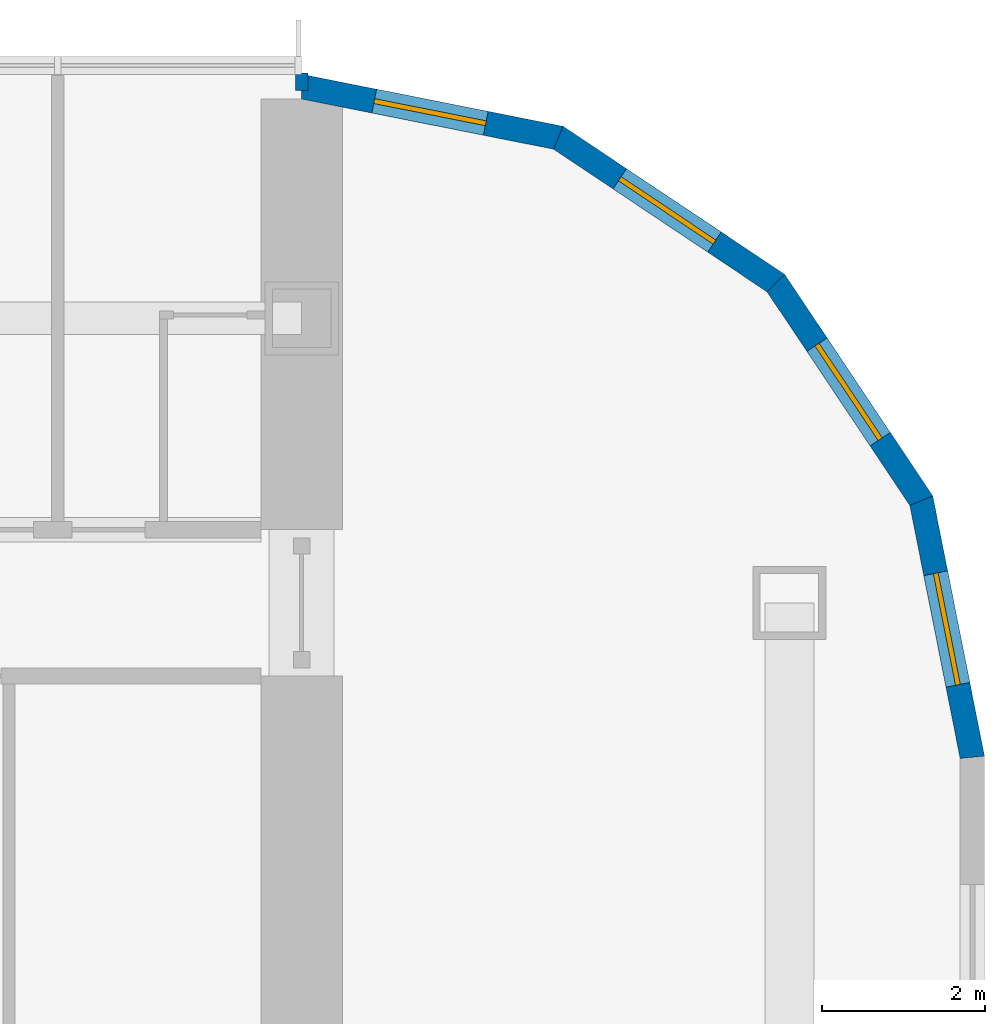
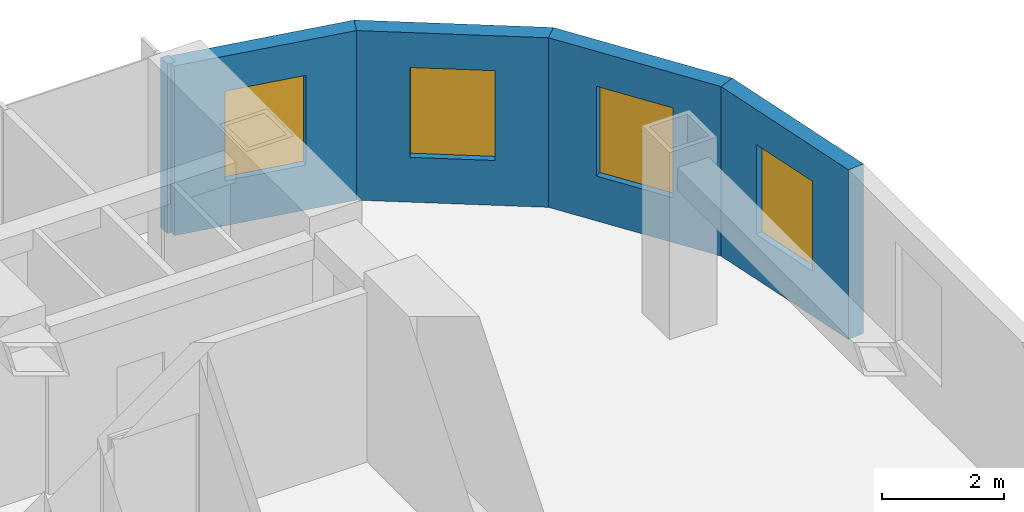
# One storey, part 18 of 23: 5 walls, 4 windows, 4 openings.
"""IFC4 building model written with IfcOpenShell, lengths in metres."""

import ifcopenshell
import ifcopenshell.guid

model = None  # the IFC model being written
_history = None  # IfcOwnerHistory: only IFC2X3 demands one
_inside = {}  # id of a spatial element -> (the spatial element, [elements in it])
_under = {}  # id of a project, library or spatial element -> (it, [spatial elements below it])
_declared = {}  # id of a project -> (the project, [libraries it declares])
_typed = {}  # id of a type object -> (the type object, [elements of that type])
_made_of = {}  # id of a material, layer set ... -> (it, [elements and type objects made of it])


def new_model(schema):
    """Start an empty IFC model of exactly this schema.

    Asked for "IFC4X3", IfcOpenShell would pick the latest addendum, in which some entities
    have other attributes; the version numbers below select the first issue.
    IFC2X3 requires an IfcOwnerHistory on every rooted entity: one is made here for all.
    """
    global model, _history
    if schema == "IFC4X3":
        model = ifcopenshell.file(schema_version=(4, 3, 0, 0))
    else:
        model = ifcopenshell.file(schema=schema)
    _inside.clear()
    _under.clear()
    _declared.clear()
    _typed.clear()
    _made_of.clear()
    _history = None
    if model.schema == "IFC2X3":
        org = make("IfcOrganization", Name="unknown")
        user = make(
            "IfcPersonAndOrganization",
            ThePerson=make("IfcPerson", FamilyName="unknown"),
            TheOrganization=org,
        )
        app = make(
            "IfcApplication",
            ApplicationDeveloper=org,
            Version="unknown",
            ApplicationFullName="unknown",
            ApplicationIdentifier="unknown",
        )
        _history = make(
            "IfcOwnerHistory",
            OwningUser=user,
            OwningApplication=app,
            ChangeAction="ADDED",
            CreationDate=0,
        )
    return model


def make(cls, **values):
    """One entity of the class cls with the attributes given. An attribute that is None is left unset."""
    return model.create_entity(
        cls, **{name: value for name, value in values.items() if value is not None}
    )


def rooted(cls, **values):
    """An entity with a GlobalId (a new one), such as an element, a storey or a relation."""
    return make(cls, GlobalId=ifcopenshell.guid.new(), OwnerHistory=_history, **values)


def si_unit(unit_type, name, prefix=None):
    """IfcSIUnit, for example si_unit("LENGTHUNIT", "METRE", prefix="MILLI")."""
    return make("IfcSIUnit", UnitType=unit_type, Prefix=prefix, Name=name)


def assignment(units):
    """IfcUnitAssignment: the units of a project."""
    return None if units is None else make("IfcUnitAssignment", Units=units)


def point(xyz):
    """IfcCartesianPoint."""
    return None if xyz is None else make("IfcCartesianPoint", Coordinates=xyz)


def direction(xyz):
    """IfcDirection."""
    return None if xyz is None else make("IfcDirection", DirectionRatios=xyz)


def frame(location, z_axis=None, x_axis=None):
    """IfcAxis2Placement3D, a coordinate frame: its origin and axes. An axis left out is left unset."""
    return make(
        "IfcAxis2Placement3D",
        Location=point(location),
        Axis=direction(z_axis),
        RefDirection=direction(x_axis),
    )


def frame_2d(location, x_axis=None):
    """IfcAxis2Placement2D, a coordinate frame in the plane: its origin and x axis."""
    return make(
        "IfcAxis2Placement2D", Location=point(location), RefDirection=direction(x_axis)
    )


def origin():
    """The frame at (0, 0, 0) with its axes left unset."""
    return frame((0.0, 0.0, 0.0))


def place(relative_to, where):
    """IfcLocalPlacement: puts the frame where relative to a parent placement (None: the world)."""
    return make(
        "IfcLocalPlacement", PlacementRelTo=relative_to, RelativePlacement=where
    )


def context(
    kind, dimensions, precision=None, world=None, true_north=None, identifier=None
):
    """IfcGeometricRepresentationContext, for example the 3D "Model" context."""
    return make(
        "IfcGeometricRepresentationContext",
        ContextIdentifier=identifier,
        ContextType=kind,
        CoordinateSpaceDimension=dimensions,
        Precision=precision,
        WorldCoordinateSystem=world,
        TrueNorth=true_north,
    )


def subcontext(parent, identifier, kind, view, scale=None):
    """IfcGeometricRepresentationSubContext, for example "Body" below "Model"."""
    return make(
        "IfcGeometricRepresentationSubContext",
        ContextIdentifier=identifier,
        ContextType=kind,
        ParentContext=parent,
        TargetScale=scale,
        TargetView=view,
    )


def project(units=None, contexts=None):
    """IfcProject with its units and contexts."""
    return rooted(
        "IfcProject",
        Name="project",
        RepresentationContexts=contexts,
        UnitsInContext=assignment(units),
    )


def spatial(cls, under=None, at=None, **own):
    """A site, building, storey or space (cls), placed at a placement, below another one or the project."""
    s = rooted(cls, ObjectPlacement=at, **own)
    if under is not None:
        _under.setdefault(under.id(), (under, []))[1].append(s)
    return s


def polyline(points):
    """IfcPolyline through the points."""
    return make("IfcPolyline", Points=[point(p) for p in points])


def profile(cls, at=None, kind="AREA", **sizes):
    """A parametric profile (cls). Its sizes go by their IFC names, for example OverallWidth=200.0."""
    return make(cls, ProfileType=kind, Position=at, **sizes)


def rectangle(**sizes):
    """IfcRectangleProfileDef."""
    return profile("IfcRectangleProfileDef", **sizes)


def outline(outer, holes=None, kind="AREA"):
    """IfcArbitraryClosedProfileDef: a profile drawn as a closed curve; with holes, ...WithVoids."""
    if holes is None:
        return make("IfcArbitraryClosedProfileDef", ProfileType=kind, OuterCurve=outer)
    return make(
        "IfcArbitraryProfileDefWithVoids",
        ProfileType=kind,
        OuterCurve=outer,
        InnerCurves=holes,
    )


def extrude(swept, where, along, depth):
    """IfcExtrudedAreaSolid: the profile swept, set in the frame where, extruded along a direction by depth."""
    return make(
        "IfcExtrudedAreaSolid",
        SweptArea=swept,
        Position=where,
        ExtrudedDirection=direction(along),
        Depth=depth,
    )


def shape(context_of_items, identifier, shape_type, items):
    """IfcShapeRepresentation: the items that make up one representation, for example the "Body"."""
    return make(
        "IfcShapeRepresentation",
        ContextOfItems=context_of_items,
        RepresentationIdentifier=identifier,
        RepresentationType=shape_type,
        Items=items,
    )


def material(Name=None, Category=None):
    """IfcMaterial."""
    return make("IfcMaterial", Name=Name, Category=Category)


def layer(
    of_material, thickness, ventilated=None, Name=None, Category=None, Priority=None
):
    """IfcMaterialLayer: one layer of a wall or slab, of a material (None: an air gap)."""
    return make(
        "IfcMaterialLayer",
        Material=of_material,
        LayerThickness=thickness,
        IsVentilated=ventilated,
        Name=Name,
        Category=Category,
        Priority=Priority,
    )


def layer_set(layers, Name=None):
    """IfcMaterialLayerSet."""
    return make("IfcMaterialLayerSet", MaterialLayers=layers, LayerSetName=Name)


def made_of(thing, what):
    """Note that an element or type object is made of a material, layer set ...; save() writes the relation."""
    if what is not None:
        _made_of.setdefault(what.id(), (what, []))[1].append(thing)
    return thing


def type_object(cls, material=None, **own):
    """A type object (cls), such as IfcWallType, which elements share."""
    return made_of(rooted(cls, **own), material)


def element(
    cls,
    number,
    at=None,
    inside=None,
    cuts=None,
    type_object=None,
    material=None,
    context=None,
    identifier="Body",
    shape_type=None,
    held_by="IfcProductDefinitionShape",
    body=None,
    shapes=None,
    **own,
):
    """One element of the class cls, such as IfcWall. Its Tag is "e" and its number.

    at: its placement. inside: the storey or other place that contains it. cuts: it is an
    opening in that element (IfcRelVoidsElement). A single representation is given by context,
    identifier, shape_type and body (its items); several are given by shapes. held_by: the class
    of the entity that holds the representations. save() writes the other relations.
    """
    e = rooted(cls, Tag="e%d" % number, ObjectPlacement=at, **own)
    if body is not None:
        shapes = [shape(context, identifier, shape_type, body)]
    if shapes is not None:
        e.Representation = make(held_by, Representations=shapes)
    if inside is not None:
        _inside.setdefault(inside.id(), (inside, []))[1].append(e)
    if cuts is not None:
        rooted(
            "IfcRelVoidsElement", RelatingBuildingElement=cuts, RelatedOpeningElement=e
        )
    if type_object is not None:
        _typed.setdefault(type_object.id(), (type_object, []))[1].append(e)
    return made_of(e, material)


def fill(opening, filler):
    """IfcRelFillsElement: the door or window that sits in an opening."""
    return rooted(
        "IfcRelFillsElement",
        RelatingOpeningElement=opening,
        RelatedBuildingElement=filler,
    )


def aggregate(whole, parts):
    """IfcRelAggregates: a whole, such as a stair, and the parts it consists of."""
    return rooted("IfcRelAggregates", RelatingObject=whole, RelatedObjects=parts)


def save(model, path):
    """Write the relations noted so far, then the file.

    IfcRelAggregates (storeys below a building ...), IfcRelContainedInSpatialStructure (elements
    in a storey), IfcRelDefinesByType, IfcRelAssociatesMaterial and IfcRelDeclares: one each for
    every whole, place, type object, material and project.
    """
    for whole, parts in _under.values():
        aggregate(whole, parts)
    for where, things in _inside.values():
        rooted(
            "IfcRelContainedInSpatialStructure",
            RelatedElements=things,
            RelatingStructure=where,
        )
    for kind, things in _typed.values():
        rooted("IfcRelDefinesByType", RelatedObjects=things, RelatingType=kind)
    for what, things in _made_of.values():
        rooted("IfcRelAssociatesMaterial", RelatedObjects=things, RelatingMaterial=what)
    for by, libraries in _declared.values():
        rooted("IfcRelDeclares", RelatingContext=by, RelatedDefinitions=libraries)
    model.write(path)


model = new_model("IFC4")

# Units and contexts
model_context = context("Model", 3, precision=1e-05, world=origin(), true_north=direction((0.0, 1.0)))
body_context = subcontext(model_context, "Body", "Model", "MODEL_VIEW")
ifc_project = project(units=[si_unit("LENGTHUNIT", "METRE"), si_unit("AREAUNIT", "SQUARE_METRE"), si_unit("VOLUMEUNIT", "CUBIC_METRE"), si_unit("PLANEANGLEUNIT", "RADIAN"), si_unit("MASSUNIT", "GRAM", prefix="KILO")], contexts=[model_context])

# Site, building, storey
site_placement = place(None, origin())
site = spatial("IfcSite", under=ifc_project, at=site_placement, CompositionType="ELEMENT")
building_placement = place(site_placement, origin())
building = spatial("IfcBuilding", under=site, at=building_placement, Name="Orbita Commons", CompositionType="ELEMENT")
storey_placement = place(building_placement, frame((0.0, 0.0, 65.199951171875)))
storey = spatial("IfcBuildingStorey", under=building, at=storey_placement, Name="L16", CompositionType="ELEMENT", Elevation=65.199951171875)

# Wall
ifc_material_1 = material(Name="Gypsum plasterboard on steel studs", Category="steel")
ifc_layer_1 = layer(ifc_material_1, 0.14990234375)
ifc_layer_set_1 = layer_set([ifc_layer_1], Name="Gypsum plasterboard on steel studs")
wall_type_1 = type_object("IfcWallType", Name="Partition 150 plasterboard", PredefinedType="PARTITIONING", material=ifc_layer_set_1)
wall_1_placement = place(storey_placement, frame((72.0, 56.39990234375, 0.0), z_axis=(0.0, 0.0, 1.0), x_axis=(0.0, 1.0, 0.0)))
element("IfcWall", 1, at=wall_1_placement, inside=storey, type_object=wall_type_1, Name="Partition 150 plasterboard L16", PredefinedType="PARTITIONING", context=body_context, shape_type="SweptSolid", body=[
    extrude(rectangle(XDim=0.22021484375, YDim=0.14990234375, at=frame_2d((0.110107421875, 0.0))), origin(), (0.0, 0.0, 1.0), 3.400146484375),
])

# Wall, opening, window
ifc_material_2 = material(Name="Precast concrete C40/50, white board-marked finish", Category="concrete")
ifc_layer_2 = layer(ifc_material_2, 0.300048828125)
ifc_layer_set_2 = layer_set([ifc_layer_2], Name="Precast concrete C40/50, white board-marked finish")
wall_type_2 = type_object("IfcWallType", Name="Precast concrete end shield 300", PredefinedType="SOLIDWALL", material=ifc_layer_set_2)
wall_2_placement = place(storey_placement, frame((80.25, 48.199951171875, 0.0), z_axis=(0.0, 0.0, 1.0), x_axis=(-0.195065901187, 0.980790137692, 0.0)))
wall_2 = element("IfcWall", 2, at=wall_2_placement, inside=storey, type_object=wall_type_2, Name="End shield NE chord 1 L16", PredefinedType="SOLIDWALL", context=body_context, shape_type="SweptSolid", body=[
    extrude(outline(polyline([(-0.014892578125, -0.14990234375), (3.248779296875, -0.14990234375), (3.189208984375, 0.14990234375), (0.014892578125, 0.14990234375), (-0.014892578125, -0.14990234375)])), origin(), (0.0, 0.0, 1.0), 3.400146484375),
])
opening_1_placement = place(wall_2_placement, frame((0.909423828125, 0.0, 0.89990234375)))
opening_1 = element("IfcOpeningElement", 3, at=opening_1_placement, cuts=wall_2, Name="Opening W02", PredefinedType="OPENING", context=body_context, shape_type="SweptSolid", body=[
    extrude(rectangle(XDim=1.39990234375, YDim=1.800048828125, at=frame_2d((0.699951171875, 0.89990234375))), frame((0.0, 0.159912109375, 0.0), z_axis=(0.0, -1.0, 0.0), x_axis=(1.0, 0.0, 0.0)), (0.0, 0.0, 1.0), 0.320068359375),
])
ifc_material_3 = material(Name="Aluminium frame, clear double glazing", Category="aluminium")
window_type = type_object("IfcWindowType", Name="Deep-set window 1400x1800", PartitioningType="SINGLE_PANEL", PredefinedType="WINDOW", material=ifc_material_3)
window_1_placement = place(opening_1_placement, origin())
window_1 = element("IfcWindow", 4, at=window_1_placement, inside=storey, type_object=window_type, Name="Window L16-NE0", OverallHeight=1.800048828125, OverallWidth=1.39990234375, PartitioningType="SINGLE_PANEL", PredefinedType="WINDOW", context=body_context, shape_type="SweptSolid", body=[
    extrude(rectangle(XDim=1.39990234375, YDim=1.800048828125, at=frame_2d((0.699951171875, 0.89990234375))), frame((0.0, 0.030029296875, 0.0), z_axis=(0.0, -1.0, 0.0), x_axis=(1.0, 0.0, 0.0)), (0.0, 0.0, 1.0), 0.06005859375),
])
fill(opening_1, window_1)

wall_3_placement = place(storey_placement, frame((79.6220703125, 51.357177734375, 0.0), z_axis=(0.0, 0.0, 1.0), x_axis=(-0.555609954424, 0.831443069936, 0.0)))
wall_3 = element("IfcWall", 5, at=wall_3_placement, inside=storey, type_object=wall_type_2, Name="End shield NE chord 2 L16", PredefinedType="SOLIDWALL", context=body_context, shape_type="SweptSolid", body=[
    extrude(outline(polyline([(-0.02978515625, -0.14990234375), (3.2490234375, -0.14990234375), (3.189453125, 0.14990234375), (0.02978515625, 0.14990234375), (-0.02978515625, -0.14990234375)])), origin(), (0.0, 0.0, 1.0), 3.400146484375),
])
opening_2_placement = place(wall_3_placement, frame((0.909423828125, 0.0, 0.89990234375)))
opening_2 = element("IfcOpeningElement", 6, at=opening_2_placement, cuts=wall_3, Name="Opening W02", PredefinedType="OPENING", context=body_context, shape_type="SweptSolid", body=[
    extrude(rectangle(XDim=1.39990234375, YDim=1.800048828125, at=frame_2d((0.699951171875, 0.89990234375))), frame((0.0, 0.159912109375, 0.0), z_axis=(0.0, -1.0, 0.0), x_axis=(1.0, 0.0, 0.0)), (0.0, 0.0, 1.0), 0.320068359375),
])
window_2_placement = place(opening_2_placement, origin())
window_2 = element("IfcWindow", 7, at=window_2_placement, inside=storey, type_object=window_type, Name="Window L16-NE1", OverallHeight=1.800048828125, OverallWidth=1.39990234375, PartitioningType="SINGLE_PANEL", PredefinedType="WINDOW", context=body_context, shape_type="SweptSolid", body=[
    extrude(rectangle(XDim=1.39990234375, YDim=1.800048828125, at=frame_2d((0.699951171875, 0.89990234375))), frame((0.0, 0.030029296875, 0.0), z_axis=(0.0, -1.0, 0.0), x_axis=(1.0, 0.0, 0.0)), (0.0, 0.0, 1.0), 0.06005859375),
])
fill(opening_2, window_2)

wall_4_placement = place(storey_placement, frame((77.83349609375, 54.03369140625, 0.0), z_axis=(0.0, 0.0, 1.0), x_axis=(-0.831478105043, 0.555557522525, 0.0)))
wall_4 = element("IfcWall", 8, at=wall_4_placement, inside=storey, type_object=wall_type_2, Name="End shield NE chord 3 L16", PredefinedType="SOLIDWALL", context=body_context, shape_type="SweptSolid", body=[
    extrude(outline(polyline([(-0.02978515625, -0.14990234375), (3.248779296875, -0.14990234375), (3.189208984375, 0.14990234375), (0.02978515625, 0.14990234375), (-0.02978515625, -0.14990234375)])), origin(), (0.0, 0.0, 1.0), 3.400146484375),
])
opening_3_placement = place(wall_4_placement, frame((0.909423828125, 0.0, 0.89990234375)))
opening_3 = element("IfcOpeningElement", 9, at=opening_3_placement, cuts=wall_4, Name="Opening W02", PredefinedType="OPENING", context=body_context, shape_type="SweptSolid", body=[
    extrude(rectangle(XDim=1.39990234375, YDim=1.800048828125, at=frame_2d((0.699951171875, 0.89990234375))), frame((0.0, 0.159912109375, 0.0), z_axis=(0.0, -1.0, 0.0), x_axis=(1.0, 0.0, 0.0)), (0.0, 0.0, 1.0), 0.320068359375),
])
window_3_placement = place(opening_3_placement, origin())
window_3 = element("IfcWindow", 10, at=window_3_placement, inside=storey, type_object=window_type, Name="Window L16-NE2", OverallHeight=1.800048828125, OverallWidth=1.39990234375, PartitioningType="SINGLE_PANEL", PredefinedType="WINDOW", context=body_context, shape_type="SweptSolid", body=[
    extrude(rectangle(XDim=1.39990234375, YDim=1.800048828125, at=frame_2d((0.699951171875, 0.89990234375))), frame((0.0, 0.030029296875, 0.0), z_axis=(0.0, -1.0, 0.0), x_axis=(1.0, 0.0, 0.0)), (0.0, 0.0, 1.0), 0.06005859375),
])
fill(opening_3, window_3)

wall_5_placement = place(storey_placement, frame((75.156982421875, 55.822021484375, 0.0), z_axis=(0.0, 0.0, 1.0), x_axis=(-0.980787251524, 0.195080412259, 0.0)))
wall_5 = element("IfcWall", 11, at=wall_5_placement, inside=storey, type_object=wall_type_2, Name="End shield NE chord 4 L16", PredefinedType="SOLIDWALL", context=body_context, shape_type="SweptSolid", body=[
    extrude(outline(polyline([(-0.02978515625, -0.14990234375), (3.24853515625, -0.14990234375), (3.18896484375, 0.14990234375), (0.02978515625, 0.14990234375), (-0.02978515625, -0.14990234375)])), origin(), (0.0, 0.0, 1.0), 3.400146484375),
])
opening_4_placement = place(wall_5_placement, frame((0.909423828125, 0.0, 0.89990234375)))
opening_4 = element("IfcOpeningElement", 12, at=opening_4_placement, cuts=wall_5, Name="Opening W02", PredefinedType="OPENING", context=body_context, shape_type="SweptSolid", body=[
    extrude(rectangle(XDim=1.39990234375, YDim=1.800048828125, at=frame_2d((0.699951171875, 0.89990234375))), frame((0.0, 0.159912109375, 0.0), z_axis=(0.0, -1.0, 0.0), x_axis=(1.0, 0.0, 0.0)), (0.0, 0.0, 1.0), 0.320068359375),
])
window_4_placement = place(opening_4_placement, origin())
window_4 = element("IfcWindow", 13, at=window_4_placement, inside=storey, type_object=window_type, Name="Window L16-NE3", OverallHeight=1.800048828125, OverallWidth=1.39990234375, PartitioningType="SINGLE_PANEL", PredefinedType="WINDOW", context=body_context, shape_type="SweptSolid", body=[
    extrude(rectangle(XDim=1.39990234375, YDim=1.800048828125, at=frame_2d((0.699951171875, 0.89990234375))), frame((0.0, 0.030029296875, 0.0), z_axis=(0.0, -1.0, 0.0), x_axis=(1.0, 0.0, 0.0)), (0.0, 0.0, 1.0), 0.06005859375),
])
fill(opening_4, window_4)

save(model, "model.ifc")
